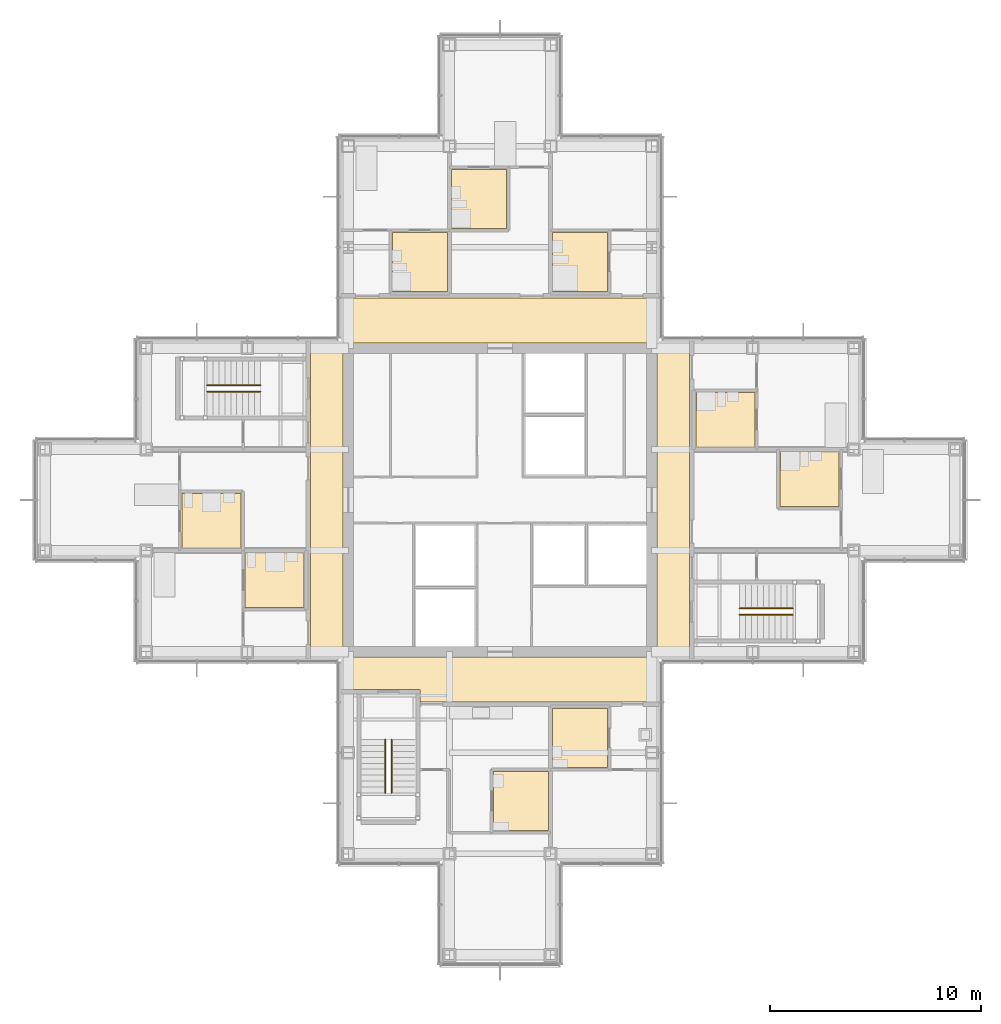
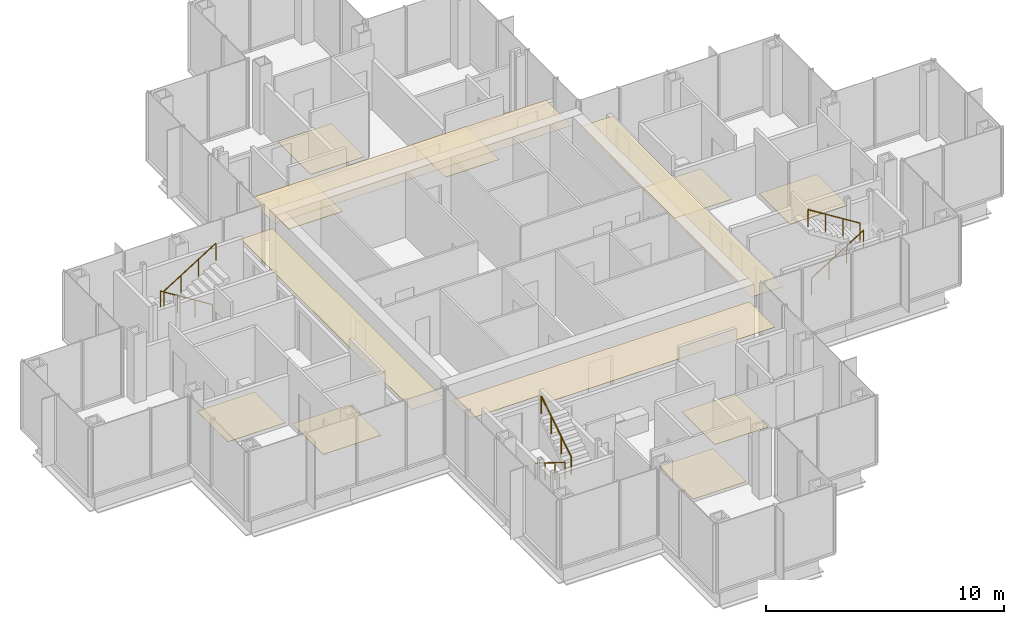
# One storey, part 15 of 17: 13 coverings, 6 railings.
"""IFC4 building model written with IfcOpenShell, lengths in metres."""

from ifc_helpers import new_model, si_unit, direction, frame, origin, origin_2d, place, context, subcontext, project, spatial, polyline, circle, outline, extrude, material, layer, layer_set, type_object, element, save


model = new_model("IFC4")

# Units and contexts
model_context = context("Model", 3, precision=1e-05, world=origin(), true_north=direction((0.0, 1.0)))
body_context = subcontext(model_context, "Body", "Model", "MODEL_VIEW")
ifc_project = project(units=[si_unit("LENGTHUNIT", "METRE"), si_unit("AREAUNIT", "SQUARE_METRE"), si_unit("VOLUMEUNIT", "CUBIC_METRE"), si_unit("PLANEANGLEUNIT", "RADIAN"), si_unit("MASSUNIT", "GRAM", prefix="KILO")], contexts=[model_context])

# Site, building, storey
site_placement = place(None, origin())
site = spatial("IfcSite", under=ifc_project, at=site_placement, CompositionType="ELEMENT")
building_placement = place(site_placement, origin())
building = spatial("IfcBuilding", under=site, at=building_placement, Name="Kvirike Care Tower", CompositionType="ELEMENT")
storey_placement = place(building_placement, frame((0.0, 0.0, 144.5)))
storey = spatial("IfcBuildingStorey", under=building, at=storey_placement, Name="L39", CompositionType="ELEMENT", Elevation=144.5)

# Coverings
ifc_material_1 = material(Name="Perforated metal ceiling tile", Category="aluminium")
ifc_layer_1 = layer(ifc_material_1, 0.014892578125)
ifc_layer_set_1 = layer_set([ifc_layer_1], Name="CORRIDOR CEILING 15")
covering_type_1 = type_object("IfcCoveringType", Name="CORRIDOR CEILING 15", PredefinedType="CEILING", material=ifc_layer_set_1)
covering_1_placement = place(storey_placement, frame((0.0, 0.0, 2.5)))
element("IfcCovering", 1, at=covering_1_placement, inside=storey, type_object=covering_type_1, Name="Corridor ceiling L39", PredefinedType="CEILING", context=body_context, shape_type="SweptSolid", body=[
    extrude(outline(polyline([(12.60009765625, 43.199951171875), (14.14990234375, 43.199951171875), (14.14990234375, 28.800048828125), (12.60009765625, 28.800048828125), (12.60009765625, 43.199951171875)])), origin(), (0.0, 0.0, 1.0), 0.014892578125),
])
covering_2_placement = place(storey_placement, frame((0.0, 0.0, 2.5)))
element("IfcCovering", 2, at=covering_2_placement, inside=storey, type_object=covering_type_1, Name="Corridor ceiling L39", PredefinedType="CEILING", context=body_context, shape_type="SweptSolid", body=[
    extrude(outline(polyline([(14.39990234375, 28.550048828125), (28.800048828125, 28.550048828125), (28.800048828125, 26.39990234375), (17.800048828125, 26.39990234375), (17.800048828125, 27.0), (14.39990234375, 27.0), (14.39990234375, 28.550048828125)])), origin(), (0.0, 0.0, 1.0), 0.014892578125),
])
covering_3_placement = place(storey_placement, frame((0.0, 0.0, 2.5)))
element("IfcCovering", 3, at=covering_3_placement, inside=storey, type_object=covering_type_1, Name="Corridor ceiling L39", PredefinedType="CEILING", context=body_context, shape_type="SweptSolid", body=[
    extrude(outline(polyline([(28.800048828125, 45.60009765625), (28.800048828125, 43.449951171875), (14.39990234375, 43.449951171875), (14.39990234375, 45.60009765625), (28.800048828125, 45.60009765625)])), origin(), (0.0, 0.0, 1.0), 0.014892578125),
])
covering_4_placement = place(storey_placement, frame((0.0, 0.0, 2.5)))
element("IfcCovering", 4, at=covering_4_placement, inside=storey, type_object=covering_type_1, Name="Corridor ceiling L39", PredefinedType="CEILING", context=body_context, shape_type="SweptSolid", body=[
    extrude(outline(polyline([(30.60009765625, 28.800048828125), (29.050048828125, 28.800048828125), (29.050048828125, 43.199951171875), (30.60009765625, 43.199951171875), (30.60009765625, 28.800048828125)])), origin(), (0.0, 0.0, 1.0), 0.014892578125),
])

# Railings
ifc_material_2 = material(Name="Stainless steel handrail", Category="steel")
railing_type = type_object("IfcRailingType", Name="STAIR HANDRAIL 900", PredefinedType="HANDRAIL", material=ifc_material_2)
railing_1_placement = place(storey_placement, frame((10.219970703125, 41.449951171875, 0.175048828125)))
element("IfcRailing", 5, at=railing_1_placement, inside=storey, type_object=railing_type, Name="Stair 1 handrail L39 flight 1", PredefinedType="HANDRAIL", context=body_context, shape_type="SweptSolid", body=[
    extrude(circle(Radius=0.02490234375, at=origin_2d()), frame((0.0, 0.0, 0.875), z_axis=(-0.848007534815, 0.0, 0.529984170421), x_axis=(0.0, -1.0, 0.0)), (0.0, 0.0, 1.0), 2.9716796875),
    extrude(circle(Radius=0.02001953125, at=origin_2d()), origin(), (0.0, 0.0, 1.0), 0.849853515625),
    extrude(circle(Radius=0.02001953125, at=origin_2d()), frame((-0.840087890625, 0.0, 0.52490234375)), (0.0, 0.0, 1.0), 0.849853515625),
    extrude(circle(Radius=0.02001953125, at=origin_2d()), frame((-1.679931640625, 0.0, 1.050048828125)), (0.0, 0.0, 1.0), 0.849853515625),
    extrude(circle(Radius=0.02001953125, at=origin_2d()), frame((-2.52001953125, 0.0, 1.574951171875)), (0.0, 0.0, 1.0), 0.849853515625),
])
for number, where, name in (
    (6, (7.699951171875, 41.14990234375, 1.925048828125), "Stair 1 handrail L39 flight 2"),
    (7, (32.97998046875, 30.550048828125, 0.175048828125), "Stair 2 handrail L39 flight 1"),
):
    element("IfcRailing", number, at=place(storey_placement, frame(where)), inside=storey, type_object=railing_type, Name=name, PredefinedType="HANDRAIL", context=body_context, shape_type="SweptSolid", body=[
        extrude(circle(Radius=0.02490234375, at=origin_2d()), frame((0.0, 0.0, 0.875), z_axis=(0.848007534815, 0.0, 0.529984170421), x_axis=(0.0, 1.0, 0.0)), (0.0, 0.0, 1.0), 2.9716796875),
        extrude(circle(Radius=0.02001953125, at=origin_2d()), origin(), (0.0, 0.0, 1.0), 0.849853515625),
        extrude(circle(Radius=0.02001953125, at=origin_2d()), frame((0.840087890625, 0.0, 0.52490234375)), (0.0, 0.0, 1.0), 0.849853515625),
        extrude(circle(Radius=0.02001953125, at=origin_2d()), frame((1.679931640625, 0.0, 1.050048828125)), (0.0, 0.0, 1.0), 0.849853515625),
        extrude(circle(Radius=0.02001953125, at=origin_2d()), frame((2.52001953125, 0.0, 1.574951171875)), (0.0, 0.0, 1.0), 0.849853515625),
    ])
railing_2_placement = place(storey_placement, frame((35.5, 30.85009765625, 1.925048828125)))
element("IfcRailing", 8, at=railing_2_placement, inside=storey, type_object=railing_type, Name="Stair 2 handrail L39 flight 2", PredefinedType="HANDRAIL", context=body_context, shape_type="SweptSolid", body=[
    extrude(circle(Radius=0.02490234375, at=origin_2d()), frame((0.0, 0.0, 0.875), z_axis=(-0.848007534815, 0.0, 0.529984170421), x_axis=(0.0, -1.0, 0.0)), (0.0, 0.0, 1.0), 2.9716796875),
    extrude(circle(Radius=0.02001953125, at=origin_2d()), origin(), (0.0, 0.0, 1.0), 0.849853515625),
    extrude(circle(Radius=0.02001953125, at=origin_2d()), frame((-0.840087890625, 0.0, 0.52490234375)), (0.0, 0.0, 1.0), 0.849853515625),
    extrude(circle(Radius=0.02001953125, at=origin_2d()), frame((-1.679931640625, 0.0, 1.050048828125)), (0.0, 0.0, 1.0), 0.849853515625),
    extrude(circle(Radius=0.02001953125, at=origin_2d()), frame((-2.52001953125, 0.0, 1.574951171875)), (0.0, 0.0, 1.0), 0.849853515625),
])
railing_3_placement = place(storey_placement, frame((16.14990234375, 24.6201171875, 0.175048828125)))
element("IfcRailing", 9, at=railing_3_placement, inside=storey, type_object=railing_type, Name="Stair 5 handrail L39 flight 1", PredefinedType="HANDRAIL", context=body_context, shape_type="SweptSolid", body=[
    extrude(circle(Radius=0.02490234375, at=origin_2d()), frame((0.0, 0.0, 0.875), z_axis=(0.0, -0.848007534815, 0.529984170421), x_axis=(1.0, 0.0, 0.0)), (0.0, 0.0, 1.0), 2.9716796875),
    extrude(circle(Radius=0.02001953125, at=origin_2d()), origin(), (0.0, 0.0, 1.0), 0.849853515625),
    extrude(circle(Radius=0.02001953125, at=origin_2d()), frame((0.0, -0.840087890625, 0.52490234375)), (0.0, 0.0, 1.0), 0.849853515625),
    extrude(circle(Radius=0.02001953125, at=origin_2d()), frame((0.0, -1.679931640625, 1.050048828125)), (0.0, 0.0, 1.0), 0.849853515625),
    extrude(circle(Radius=0.02001953125, at=origin_2d()), frame((0.0, -2.52001953125, 1.574951171875)), (0.0, 0.0, 1.0), 0.849853515625),
])
railing_4_placement = place(storey_placement, frame((16.449951171875, 22.10009765625, 1.925048828125)))
element("IfcRailing", 10, at=railing_4_placement, inside=storey, type_object=railing_type, Name="Stair 5 handrail L39 flight 2", PredefinedType="HANDRAIL", context=body_context, shape_type="SweptSolid", body=[
    extrude(circle(Radius=0.02490234375, at=origin_2d()), frame((0.0, 0.0, 0.875), z_axis=(0.0, 0.848007534815, 0.529984170421), x_axis=(-1.0, 0.0, 0.0)), (0.0, 0.0, 1.0), 2.9716796875),
    extrude(circle(Radius=0.02001953125, at=origin_2d()), origin(), (0.0, 0.0, 1.0), 0.849853515625),
    extrude(circle(Radius=0.02001953125, at=origin_2d()), frame((0.0, 0.840087890625, 0.52490234375)), (0.0, 0.0, 1.0), 0.849853515625),
    extrude(circle(Radius=0.02001953125, at=origin_2d()), frame((0.0, 1.679931640625, 1.050048828125)), (0.0, 0.0, 1.0), 0.849853515625),
    extrude(circle(Radius=0.02001953125, at=origin_2d()), frame((0.0, 2.52001953125, 1.574951171875)), (0.0, 0.0, 1.0), 0.849853515625),
])

# Coverings
ifc_material_3 = material(Name="Slip-resistant vinyl safety flooring on screed")
ifc_layer_2 = layer(ifc_material_3, 0.02001953125)
ifc_layer_set_2 = layer_set([ifc_layer_2], Name="WET ROOM FLOOR 20")
covering_type_2 = type_object("IfcCoveringType", Name="WET ROOM FLOOR 20", PredefinedType="FLOORING", material=ifc_layer_set_2)
covering_5_placement = place(storey_placement, origin())
element("IfcCovering", 11, at=covering_5_placement, inside=storey, type_object=covering_type_2, Name="En-suite floor L39-006", PredefinedType="FLOORING", context=body_context, shape_type="SweptSolid", body=[
    extrude(outline(polyline([(6.5, 36.300048828125), (9.300048828125, 36.300048828125), (9.300048828125, 33.699951171875), (6.5, 33.699951171875), (6.5, 36.300048828125)])), origin(), (0.0, 0.0, 1.0), 0.02001953125),
])
covering_6_placement = place(storey_placement, origin())
element("IfcCovering", 12, at=covering_6_placement, inside=storey, type_object=covering_type_2, Name="En-suite floor L39-009", PredefinedType="FLOORING", context=body_context, shape_type="SweptSolid", body=[
    extrude(outline(polyline([(9.5, 33.5), (12.300048828125, 33.5), (12.300048828125, 30.89990234375), (9.5, 30.89990234375), (9.5, 33.5)])), origin(), (0.0, 0.0, 1.0), 0.02001953125),
])
covering_7_placement = place(storey_placement, origin())
element("IfcCovering", 13, at=covering_7_placement, inside=storey, type_object=covering_type_2, Name="Accessible WC floor L39-014", PredefinedType="FLOORING", context=body_context, shape_type="SweptSolid", body=[
    extrude(outline(polyline([(21.300048828125, 20.300048828125), (21.300048828125, 23.10009765625), (23.89990234375, 23.10009765625), (23.89990234375, 20.300048828125), (21.300048828125, 20.300048828125)])), origin(), (0.0, 0.0, 1.0), 0.02001953125),
])
covering_8_placement = place(storey_placement, origin())
element("IfcCovering", 14, at=covering_8_placement, inside=storey, type_object=covering_type_2, Name="Staff WC floor L39-017", PredefinedType="FLOORING", context=body_context, shape_type="SweptSolid", body=[
    extrude(outline(polyline([(24.10009765625, 23.300048828125), (24.10009765625, 26.10009765625), (26.699951171875, 26.10009765625), (26.699951171875, 23.300048828125), (24.10009765625, 23.300048828125)])), origin(), (0.0, 0.0, 1.0), 0.02001953125),
])
covering_9_placement = place(storey_placement, origin())
element("IfcCovering", 15, at=covering_9_placement, inside=storey, type_object=covering_type_2, Name="Assisted bathroom floor L39-021", PredefinedType="FLOORING", context=body_context, shape_type="SweptSolid", body=[
    extrude(outline(polyline([(26.699951171875, 48.699951171875), (26.699951171875, 45.89990234375), (24.10009765625, 45.89990234375), (24.10009765625, 48.699951171875), (26.699951171875, 48.699951171875)])), origin(), (0.0, 0.0, 1.0), 0.02001953125),
])
covering_10_placement = place(storey_placement, origin())
element("IfcCovering", 16, at=covering_10_placement, inside=storey, type_object=covering_type_2, Name="En-suite floor L39-024", PredefinedType="FLOORING", context=body_context, shape_type="SweptSolid", body=[
    extrude(outline(polyline([(21.89990234375, 51.699951171875), (21.89990234375, 48.89990234375), (19.300048828125, 48.89990234375), (19.300048828125, 51.699951171875), (21.89990234375, 51.699951171875)])), origin(), (0.0, 0.0, 1.0), 0.02001953125),
])
covering_11_placement = place(storey_placement, origin())
element("IfcCovering", 17, at=covering_11_placement, inside=storey, type_object=covering_type_2, Name="En-suite floor L39-027", PredefinedType="FLOORING", context=body_context, shape_type="SweptSolid", body=[
    extrude(outline(polyline([(19.10009765625, 48.699951171875), (19.10009765625, 45.89990234375), (16.5, 45.89990234375), (16.5, 48.699951171875), (19.10009765625, 48.699951171875)])), origin(), (0.0, 0.0, 1.0), 0.02001953125),
])
covering_12_placement = place(storey_placement, origin())
element("IfcCovering", 18, at=covering_12_placement, inside=storey, type_object=covering_type_2, Name="En-suite floor L39-034", PredefinedType="FLOORING", context=body_context, shape_type="SweptSolid", body=[
    extrude(outline(polyline([(37.699951171875, 35.699951171875), (34.89990234375, 35.699951171875), (34.89990234375, 38.300048828125), (37.699951171875, 38.300048828125), (37.699951171875, 35.699951171875)])), origin(), (0.0, 0.0, 1.0), 0.02001953125),
])
covering_13_placement = place(storey_placement, origin())
element("IfcCovering", 19, at=covering_13_placement, inside=storey, type_object=covering_type_2, Name="En-suite floor L39-037", PredefinedType="FLOORING", context=body_context, shape_type="SweptSolid", body=[
    extrude(outline(polyline([(33.699951171875, 38.5), (30.89990234375, 38.5), (30.89990234375, 41.10009765625), (33.699951171875, 41.10009765625), (33.699951171875, 38.5)])), origin(), (0.0, 0.0, 1.0), 0.02001953125),
])

save(model, "model.ifc")
